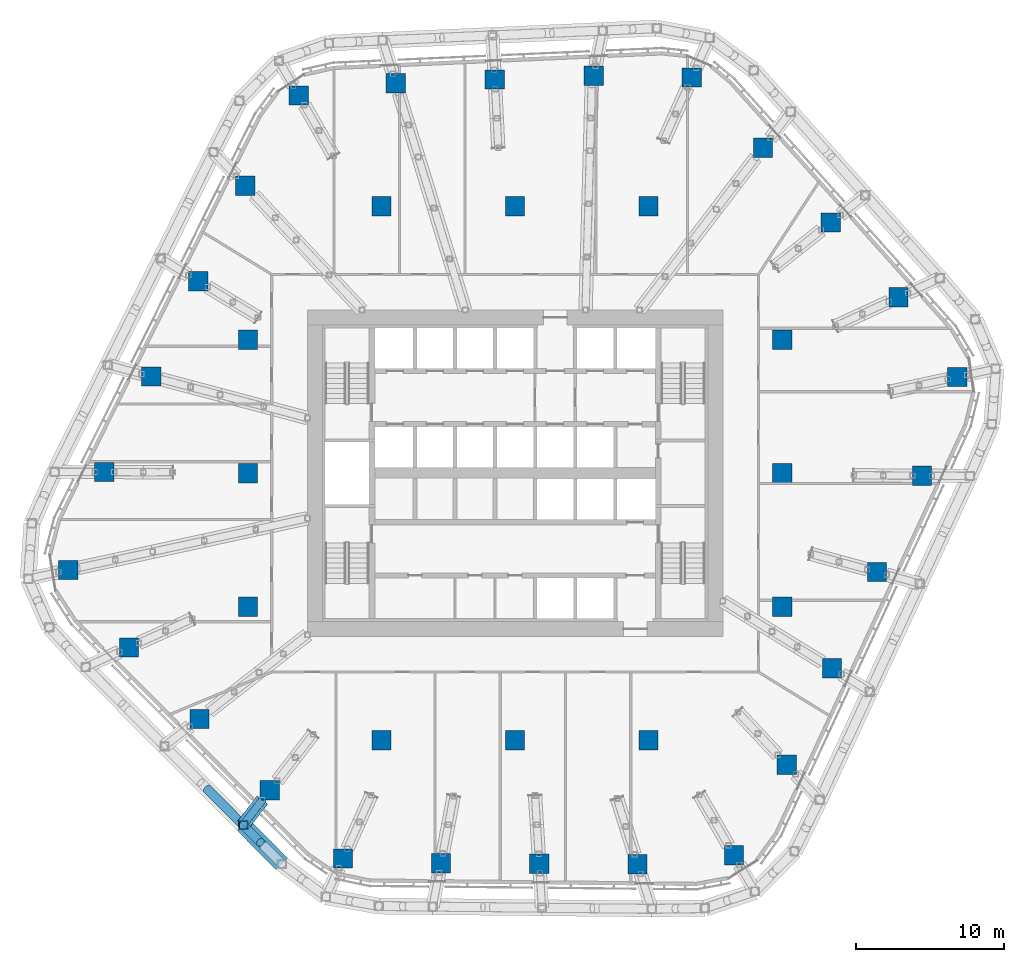
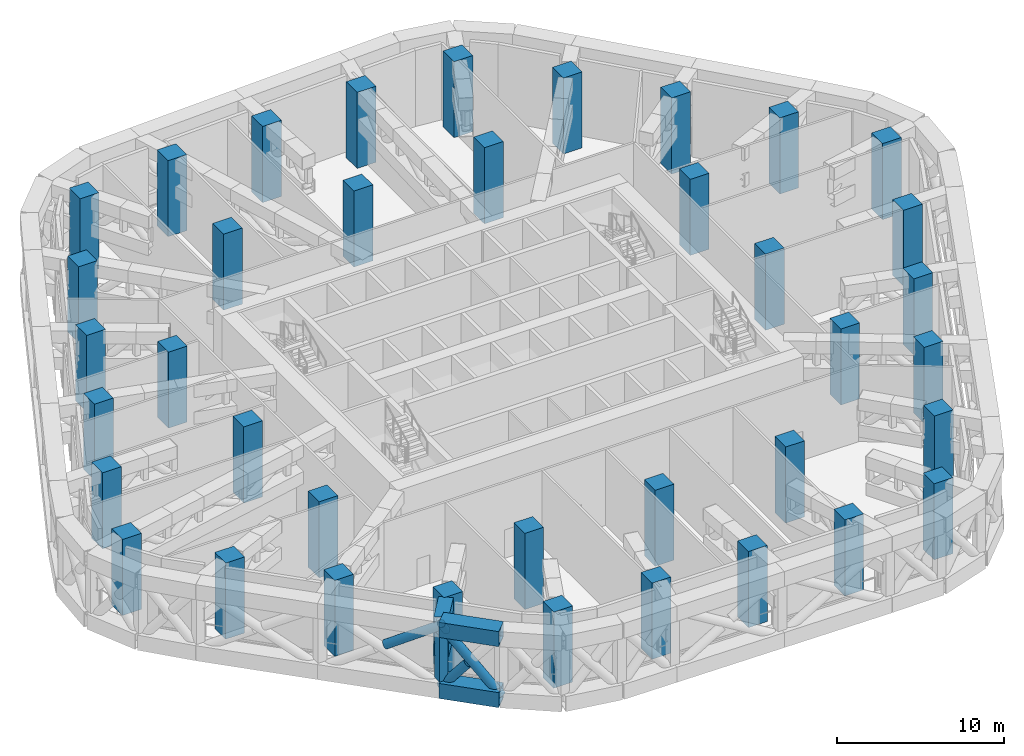
# One storey, part 1 of 30: 38 columns, 9 members.
"""IFC4 building model written with IfcOpenShell, lengths in metres."""

from ifc_helpers import new_model, si_unit, direction, frame, origin, origin_2d, place, context, subcontext, project, spatial, rectangle, hollow_rectangle, hollow_circle, extrude, material, material_profile, profile_set, type_object, element, save


model = new_model("IFC4")

# Units and contexts
model_context = context("Model", 3, precision=1e-05, world=origin(), true_north=direction((0.0, 1.0)))
body_context = subcontext(model_context, "Body", "Model", "MODEL_VIEW")
ifc_project = project(units=[si_unit("LENGTHUNIT", "METRE"), si_unit("AREAUNIT", "SQUARE_METRE"), si_unit("VOLUMEUNIT", "CUBIC_METRE"), si_unit("PLANEANGLEUNIT", "RADIAN"), si_unit("MASSUNIT", "GRAM", prefix="KILO")], contexts=[model_context])

# Site, building, storey
site_placement = place(None, origin())
site = spatial("IfcSite", under=ifc_project, at=site_placement, CompositionType="ELEMENT")
building_placement = place(site_placement, origin())
building = spatial("IfcBuilding", under=site, at=building_placement, Name="Dongbaek Canopy Tower", CompositionType="ELEMENT")
storey_placement = place(building_placement, frame((0.0, 0.0, 145.60009765625)))
storey = spatial("IfcBuildingStorey", under=building, at=storey_placement, Name="L32", CompositionType="ELEMENT", Elevation=145.60009765625)

# Columns
ifc_material_1 = material(Name="Concrete C80", Category="concrete")
ifc_material_profile_1 = material_profile(ifc_material_1, rectangle(XDim=1.300048828125, YDim=1.300048828125, at=origin_2d()), Name="RC COLUMN 1300x1300 C80")
ifc_profile_set_1 = profile_set([ifc_material_profile_1], Name="Concrete C80")
column_type = type_object("IfcColumnType", Name="RC COLUMN 1300x1300 C80", PredefinedType="COLUMN", material=ifc_profile_set_1)
for number, where, z_axis, x_axis, name in (
    (1, (14.760009765625, -25.7490234375, 0.0), (0.0, 0.0, 1.0), (1.0, 0.0, 0.0), "COL:CZ2-01:L32"),
    (2, (8.258056640625, -26.34912109375, 0.0), (0.0, 0.0, 1.0), (1.0, 0.0, 0.0), "COL:CZ2-02:L32"),
    (3, (1.62890625, -26.319091796875, 0.0), (0.0, 0.0, 1.0), (1.0, 0.0, 0.0), "COL:CZ2-03:L32"),
    (4, (-5.0, -26.2900390625, 0.0), (0.0, 0.0, 1.0), (1.0, 0.0, 0.0), "COL:CZ2-04:L32"),
    (5, (-11.59912109375, -25.966064453125, 0.0), (0.0, 0.0, 1.0), (1.0, 0.0, 0.0), "COL:CZ2-05:L32"),
    (6, (-16.532958984375, -21.376953125, 0.0), (0.0, 0.0, 1.0), (1.0, 0.0, 0.0), "COL:CZ2-06:L32"),
    (7, (-21.277099609375, -16.56005859375, 0.0), (0.0, 0.0, 1.0), (1.0, 0.0, 0.0), "COL:CZ2-07:L32"),
    (8, (-26.02099609375, -11.742919921875, 0.0), (0.0, 0.0, 1.0), (1.0, 0.0, 0.0), "COL:CZ2-08:L32"),
    (9, (-30.125, -6.527099609375, 0.0), (0.0, 0.0, 1.0), (1.0, 0.0, 0.0), "COL:CZ2-09:L32"),
    (10, (-27.693115234375, 0.0830078125, 0.0), (0.0, 0.0, 1.0), (1.0, 0.0, 0.0), "COL:CZ2-10:L32"),
    (11, (-24.529052734375, 6.51806640625, 0.0), (0.0, 0.0, 1.0), (1.0, 0.0, 0.0), "COL:CZ2-11:L32"),
    (12, (-21.364013671875, 12.951904296875, 0.0), (0.0, 0.0, 1.0), (1.0, 0.0, 0.0), "COL:CZ2-12:L32"),
    (13, (-18.198974609375, 19.385986328125, 0.0), (0.0, 0.0, 1.0), (1.0, 0.0, 0.0), "COL:CZ2-13:L32"),
    (14, (-14.575927734375, 25.471923828125, 0.0), (0.0, 0.0, 1.0), (1.0, 0.0, 0.0), "COL:CZ2-14:L32"),
    (15, (-8.041015625, 26.2880859375, 0.0), (0.0, 0.0, 1.0), (1.0, 0.0, 0.0), "COL:CZ2-15:L32"),
    (16, (-1.3720703125, 26.5439453125, 0.0), (0.0, 0.0, 1.0), (1.0, 0.0, 0.0), "COL:CZ2-16:L32"),
    (17, (5.294921875, 26.798095703125, 0.0), (0.0, 0.0, 1.0), (1.0, 0.0, 0.0), "COL:CZ2-17:L32"),
    (18, (11.9169921875, 26.674072265625, 0.0), (0.0, 0.0, 1.0), (1.0, 0.0, 0.0), "COL:CZ2-18:L32"),
    (19, (16.718017578125, 21.93505859375, 0.0), (0.0, 0.0, 1.0), (1.0, 0.0, 0.0), "COL:CZ2-19:L32"),
    (20, (21.280029296875, 16.89794921875, 0.0), (0.0, 0.0, 1.0), (1.0, 0.0, 0.0), "COL:CZ2-20:L32"),
    (21, (25.841064453125, 11.862060546875, 0.0), (0.0, 0.0, 1.0), (1.0, 0.0, 0.0), "COL:CZ2-21:L32"),
    (22, (29.81103515625, 6.48193359375, 0.0), (0.0, 0.0, 1.0), (1.0, 0.0, 0.0), "COL:CZ2-22:L32"),
    (23, (27.43603515625, -0.1650390625, 0.0), (0.0, 0.0, 1.0), (1.0, 0.0, 0.0), "COL:CZ2-23:L32"),
    (24, (24.39599609375, -6.656982421875, 0.0), (0.0, 0.0, 1.0), (1.0, 0.0, 0.0), "COL:CZ2-24:L32"),
    (25, (21.35595703125, -13.14990234375, 0.0), (0.0, 0.0, 1.0), (1.0, 0.0, 0.0), "COL:CZ2-25:L32"),
    (26, (18.31494140625, -19.64208984375, 0.0), (0.0, 0.0, 1.0), (1.0, 0.0, 0.0), "COL:CZ2-26:L32"),
    (27, (-18.0, -9.0, 0.0), (0.0, 0.0, 1.0), (1.0, 0.0, 0.0), "COL:CIZ2-01:L32"),
    (28, (-18.0, 0.0, 0.0), (0.0, 0.0, 1.0), (1.0, 0.0, 0.0), "COL:CIZ2-02:L32"),
    (29, (-18.0, 9.0, 0.0), (0.0, 0.0, 1.0), (1.0, 0.0, 0.0), "COL:CIZ2-03:L32"),
    (30, (-9.0, -18.0, 0.0), (0.0, 0.0, 1.0), (1.0, 0.0, 0.0), "COL:CIZ2-04:L32"),
    (31, (-9.0, 18.0, 0.0), (0.0, 0.0, 1.0), (1.0, 0.0, 0.0), "COL:CIZ2-05:L32"),
    (32, (0.0, -18.0, 0.0), (0.0, 0.0, 1.0), (1.0, 0.0, 0.0), "COL:CIZ2-06:L32"),
    (33, (0.0, 18.0, 0.0), (0.0, 0.0, 1.0), (1.0, 0.0, 0.0), "COL:CIZ2-07:L32"),
    (34, (9.0, -18.0, 0.0), (0.0, 0.0, 1.0), (1.0, 0.0, 0.0), "COL:CIZ2-08:L32"),
    (35, (9.0, 18.0, 0.0), (0.0, 0.0, 1.0), (1.0, 0.0, 0.0), "COL:CIZ2-09:L32"),
    (36, (18.0, -9.0, 0.0), (0.0, 0.0, 1.0), (1.0, 0.0, 0.0), "COL:CIZ2-10:L32"),
    (37, (18.0, 0.0, 0.0), (0.0, 0.0, 1.0), (1.0, 0.0, 0.0), "COL:CIZ2-11:L32"),
    (38, (18.0, 9.0, 0.0), (0.0, 0.0, 1.0), (1.0, 0.0, 0.0), "COL:CIZ2-12:L32"),
):
    element("IfcColumn", number, at=place(storey_placement, frame(where, z_axis=z_axis, x_axis=x_axis)), inside=storey, type_object=column_type, Name=name, PredefinedType="COLUMN", context=body_context, shape_type="SweptSolid", body=[
        extrude(rectangle(XDim=1.300048828125, YDim=1.300048828125, at=origin_2d()), origin(), (0.0, 0.0, 1.0), 5.5498046875),
    ])

# Members
ifc_material_2 = material(Name="Steel S355", Category="steel")
ifc_material_profile_2 = material_profile(ifc_material_2, hollow_circle(Radius=0.304931640625, WallThickness=0.01611328125, at=origin_2d()), Name="BELT BRACE CHS 610.0x16.0 Steel S355")
ifc_profile_set_2 = profile_set([ifc_material_profile_2], Name="Steel S355")
member_type_1 = type_object("IfcMemberType", Name="BELT BRACE CHS 610.0x16.0 Steel S355", PredefinedType="BRACE", material=ifc_profile_set_2)
member_1_placement = place(storey_placement, frame((-15.718994140625, -26.34130859375, 0.5498046875), z_axis=(-0.452009922354, 0.453821500941, 0.767940802001), x_axis=(-0.708519512069, -0.705691222149, 0.0)))
element("IfcMember", 39, at=member_1_placement, inside=storey, type_object=member_type_1, Name="BELT:L32:4:D1:0", PredefinedType="BRACE", context=body_context, shape_type="SweptSolid", body=[
    extrude(hollow_circle(Radius=0.304931640625, WallThickness=0.01611328125, at=origin_2d()), origin(), (0.0, 0.0, 1.0), 5.794921875),
])
member_2_placement = place(storey_placement, frame((-18.33837890625, -23.71142578125, 0.5498046875), z_axis=(0.451960165509, -0.453847264322, 0.767954861604), x_axis=(0.708578382602, 0.705632110741, 0.0)))
element("IfcMember", 40, at=member_2_placement, inside=storey, type_object=member_type_1, Name="BELT:L32:4:D1:1", PredefinedType="BRACE", context=body_context, shape_type="SweptSolid", body=[
    extrude(hollow_circle(Radius=0.304931640625, WallThickness=0.01611328125, at=origin_2d()), origin(), (0.0, 0.0, 1.0), 2.58740234375),
])
member_3_placement = place(storey_placement, frame((-18.33837890625, -23.71142578125, 5.0), z_axis=(-0.607014011936, 0.609385635505, -0.510081499912), x_axis=(-0.708484086012, -0.705726788402, 0.0)))
element("IfcMember", 41, at=member_3_placement, inside=storey, type_object=member_type_1, Name="BELT:L32:5:D0:2", PredefinedType="BRACE", context=body_context, shape_type="SweptSolid", body=[
    extrude(hollow_circle(Radius=0.304931640625, WallThickness=0.01611328125, at=origin_2d()), origin(), (0.0, 0.0, 1.0), 4.0146484375),
])
ifc_material_3 = material(Name="Steel S355", Category="steel")
ifc_material_profile_3 = material_profile(ifc_material_3, hollow_rectangle(XDim=1.10009765625, YDim=1.10009765625, WallThickness=0.054931640625, at=origin_2d()), Name="BELT CHORD BOX 1100x1100x55 Steel S355")
ifc_profile_set_3 = profile_set([ifc_material_profile_3], Name="Steel S355")
member_type_2 = type_object("IfcMemberType", Name="BELT CHORD BOX 1100x1100x55 Steel S355", PredefinedType="CHORD", material=ifc_profile_set_3)
for number, where, z_axis, x_axis, name in (
    (42, (-15.718994140625, -26.34130859375, 0.5498046875), (-0.705691222149, 0.708519512069, 0.0), (-0.708519512069, -0.705691222149, 0.0), "BELT:L32:4:CB1"),
    (43, (-15.718994140625, -26.34130859375, 5.0), (-0.705691222149, 0.708519512069, 0.0), (-0.708519512069, -0.705691222149, 0.0), "BELT:L32:4:CT1"),
):
    element("IfcMember", number, at=place(storey_placement, frame(where, z_axis=z_axis, x_axis=x_axis)), inside=storey, type_object=member_type_2, Name=name, PredefinedType="CHORD", context=body_context, shape_type="SweptSolid", body=[
        extrude(hollow_rectangle(XDim=1.10009765625, YDim=1.10009765625, WallThickness=0.054931640625, at=origin_2d()), origin(), (0.0, 0.0, 1.0), 3.7119140625),
    ])
ifc_material_4 = material(Name="Steel S355", Category="steel")
ifc_material_profile_4 = material_profile(ifc_material_4, hollow_rectangle(XDim=0.60009765625, YDim=0.60009765625, WallThickness=0.031982421875, at=origin_2d()), Name="BELT POST BOX 600x600x32 Steel S355")
ifc_profile_set_4 = profile_set([ifc_material_profile_4], Name="Steel S355")
member_type_3 = type_object("IfcMemberType", Name="BELT POST BOX 600x600x32 Steel S355", PredefinedType="POST", material=ifc_profile_set_4)
member_4_placement = place(storey_placement, frame((-18.33837890625, -23.71142578125, 1.099853515625), z_axis=(0.0, 0.0, 1.0), x_axis=(1.0, 0.0, 0.0)))
element("IfcMember", 44, at=member_4_placement, inside=storey, type_object=member_type_3, Name="BELT:L32:5:P0", PredefinedType="POST", context=body_context, shape_type="SweptSolid", body=[
    extrude(hollow_rectangle(XDim=0.60009765625, YDim=0.60009765625, WallThickness=0.031982421875, at=origin_2d()), origin(), (0.0, 0.0, 1.0), 3.35009765625),
])
ifc_material_5 = material(Name="Steel S355", Category="steel")
ifc_material_profile_5 = material_profile(ifc_material_5, hollow_circle(Radius=0.25390625, WallThickness=0.01611328125, at=origin_2d()), Name="BRACE CHS 508.0x16.0 Steel S355")
ifc_profile_set_5 = profile_set([ifc_material_profile_5], Name="Steel S355")
member_type_4 = type_object("IfcMemberType", Name="BRACE CHS 508.0x16.0 Steel S355", PredefinedType="BRACE", material=ifc_profile_set_5)
member_5_placement = place(storey_placement, frame((-17.03564453125, -22.027099609375, 3.14990234375), z_axis=(-0.451197924638, -0.583361034872, 0.67535941231), x_axis=(0.791010073949, -0.611803124307, 0.0)))
element("IfcMember", 45, at=member_5_placement, inside=storey, type_object=member_type_4, Name="TRUSS:L32:5x:D0", PredefinedType="BRACE", context=body_context, shape_type="SweptSolid", body=[
    extrude(hollow_circle(Radius=0.25390625, WallThickness=0.01611328125, at=origin_2d()), origin(), (0.0, 0.0, 1.0), 2.88720703125),
])
ifc_material_6 = material(Name="Steel S355", Category="steel")
ifc_material_profile_6 = material_profile(ifc_material_6, hollow_rectangle(XDim=0.89990234375, YDim=0.89990234375, WallThickness=0.044921875, at=origin_2d()), Name="CHORD BOX 900x900x45 Steel S355")
ifc_profile_set_6 = profile_set([ifc_material_profile_6], Name="Steel S355")
member_type_5 = type_object("IfcMemberType", Name="CHORD BOX 900x900x45 Steel S355", PredefinedType="CHORD", material=ifc_profile_set_6)
for number, where, z_axis, x_axis, name in (
    (46, (-17.03564453125, -22.027099609375, 3.14990234375), (-0.611803124307, -0.791010073949, 0.0), (0.791010073949, -0.611803124307, 0.0), "TRUSS:L32:5x:CB"),
    (47, (-17.03564453125, -22.027099609375, 5.099853515625), (-0.611803124307, -0.791010073949, 0.0), (0.791010073949, -0.611803124307, 0.0), "TRUSS:L32:5x:CT0"),
):
    element("IfcMember", number, at=place(storey_placement, frame(where, z_axis=z_axis, x_axis=x_axis)), inside=storey, type_object=member_type_5, Name=name, PredefinedType="CHORD", context=body_context, shape_type="SweptSolid", body=[
        extrude(hollow_rectangle(XDim=0.89990234375, YDim=0.89990234375, WallThickness=0.044921875, at=origin_2d()), origin(), (0.0, 0.0, 1.0), 2.12939453125),
    ])

save(model, "model.ifc")
